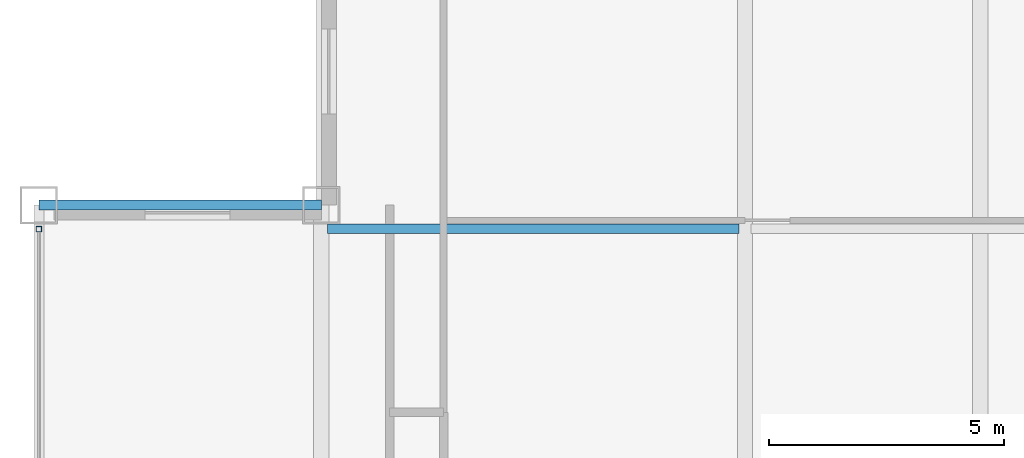
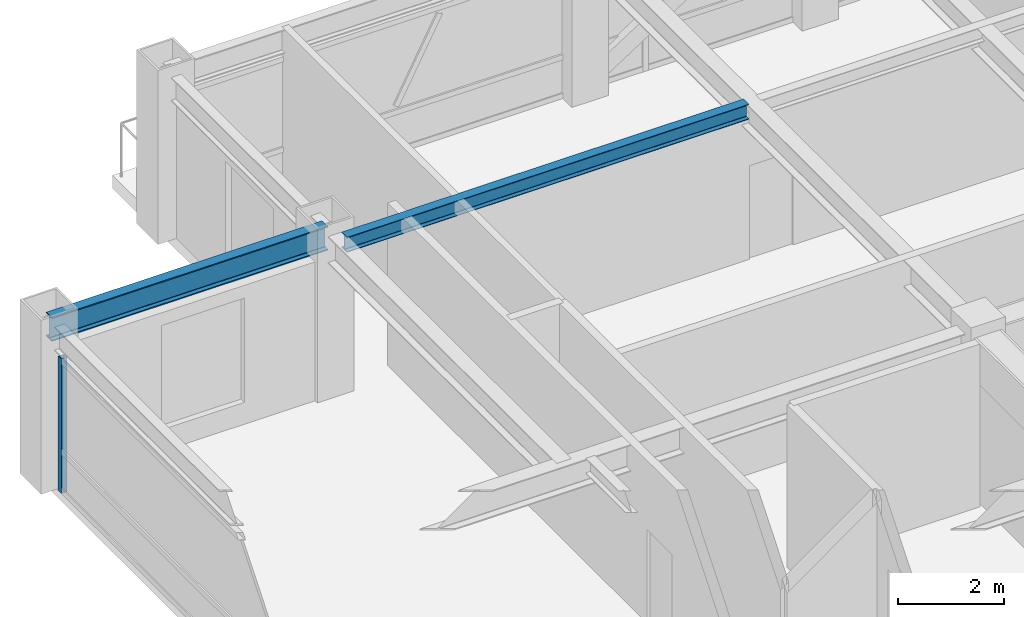
# One storey, part 15 of 30: 2 beams, 1 member, 1 element without a shape of its own.
"""IFC4 building model written with IfcOpenShell, lengths in metres."""

import ifcopenshell
import ifcopenshell.guid

model = None  # the IFC model being written
_history = None  # IfcOwnerHistory: only IFC2X3 demands one
_inside = {}  # id of a spatial element -> (the spatial element, [elements in it])
_under = {}  # id of a project, library or spatial element -> (it, [spatial elements below it])
_declared = {}  # id of a project -> (the project, [libraries it declares])
_typed = {}  # id of a type object -> (the type object, [elements of that type])
_made_of = {}  # id of a material, layer set ... -> (it, [elements and type objects made of it])


def new_model(schema):
    """Start an empty IFC model of exactly this schema.

    Asked for "IFC4X3", IfcOpenShell would pick the latest addendum, in which some entities
    have other attributes; the version numbers below select the first issue.
    IFC2X3 requires an IfcOwnerHistory on every rooted entity: one is made here for all.
    """
    global model, _history
    if schema == "IFC4X3":
        model = ifcopenshell.file(schema_version=(4, 3, 0, 0))
    else:
        model = ifcopenshell.file(schema=schema)
    _inside.clear()
    _under.clear()
    _declared.clear()
    _typed.clear()
    _made_of.clear()
    _history = None
    if model.schema == "IFC2X3":
        org = make("IfcOrganization", Name="unknown")
        user = make(
            "IfcPersonAndOrganization",
            ThePerson=make("IfcPerson", FamilyName="unknown"),
            TheOrganization=org,
        )
        app = make(
            "IfcApplication",
            ApplicationDeveloper=org,
            Version="unknown",
            ApplicationFullName="unknown",
            ApplicationIdentifier="unknown",
        )
        _history = make(
            "IfcOwnerHistory",
            OwningUser=user,
            OwningApplication=app,
            ChangeAction="ADDED",
            CreationDate=0,
        )
    return model


def make(cls, **values):
    """One entity of the class cls with the attributes given. An attribute that is None is left unset."""
    return model.create_entity(
        cls, **{name: value for name, value in values.items() if value is not None}
    )


def rooted(cls, **values):
    """An entity with a GlobalId (a new one), such as an element, a storey or a relation."""
    return make(cls, GlobalId=ifcopenshell.guid.new(), OwnerHistory=_history, **values)


def si_unit(unit_type, name, prefix=None):
    """IfcSIUnit, for example si_unit("LENGTHUNIT", "METRE", prefix="MILLI")."""
    return make("IfcSIUnit", UnitType=unit_type, Prefix=prefix, Name=name)


def assignment(units):
    """IfcUnitAssignment: the units of a project."""
    return None if units is None else make("IfcUnitAssignment", Units=units)


def point(xyz):
    """IfcCartesianPoint."""
    return None if xyz is None else make("IfcCartesianPoint", Coordinates=xyz)


def direction(xyz):
    """IfcDirection."""
    return None if xyz is None else make("IfcDirection", DirectionRatios=xyz)


def frame(location, z_axis=None, x_axis=None):
    """IfcAxis2Placement3D, a coordinate frame: its origin and axes. An axis left out is left unset."""
    return make(
        "IfcAxis2Placement3D",
        Location=point(location),
        Axis=direction(z_axis),
        RefDirection=direction(x_axis),
    )


def frame_2d(location, x_axis=None):
    """IfcAxis2Placement2D, a coordinate frame in the plane: its origin and x axis."""
    return make(
        "IfcAxis2Placement2D", Location=point(location), RefDirection=direction(x_axis)
    )


def origin():
    """The frame at (0, 0, 0) with its axes left unset."""
    return frame((0.0, 0.0, 0.0))


def origin_2d():
    """The frame at (0, 0) in the plane with its x axis left unset."""
    return frame_2d((0.0, 0.0))


def place(relative_to, where):
    """IfcLocalPlacement: puts the frame where relative to a parent placement (None: the world)."""
    return make(
        "IfcLocalPlacement", PlacementRelTo=relative_to, RelativePlacement=where
    )


def context(
    kind, dimensions, precision=None, world=None, true_north=None, identifier=None
):
    """IfcGeometricRepresentationContext, for example the 3D "Model" context."""
    return make(
        "IfcGeometricRepresentationContext",
        ContextIdentifier=identifier,
        ContextType=kind,
        CoordinateSpaceDimension=dimensions,
        Precision=precision,
        WorldCoordinateSystem=world,
        TrueNorth=true_north,
    )


def subcontext(parent, identifier, kind, view, scale=None):
    """IfcGeometricRepresentationSubContext, for example "Body" below "Model"."""
    return make(
        "IfcGeometricRepresentationSubContext",
        ContextIdentifier=identifier,
        ContextType=kind,
        ParentContext=parent,
        TargetScale=scale,
        TargetView=view,
    )


def project(units=None, contexts=None):
    """IfcProject with its units and contexts."""
    return rooted(
        "IfcProject",
        Name="project",
        RepresentationContexts=contexts,
        UnitsInContext=assignment(units),
    )


def spatial(cls, under=None, at=None, **own):
    """A site, building, storey or space (cls), placed at a placement, below another one or the project."""
    s = rooted(cls, ObjectPlacement=at, **own)
    if under is not None:
        _under.setdefault(under.id(), (under, []))[1].append(s)
    return s


def profile(cls, at=None, kind="AREA", **sizes):
    """A parametric profile (cls). Its sizes go by their IFC names, for example OverallWidth=200.0."""
    return make(cls, ProfileType=kind, Position=at, **sizes)


def hollow_rectangle(**sizes):
    """IfcRectangleHollowProfileDef."""
    return profile("IfcRectangleHollowProfileDef", **sizes)


def i_section(**sizes):
    """IfcIShapeProfileDef."""
    return profile("IfcIShapeProfileDef", **sizes)


def extrude(swept, where, along, depth):
    """IfcExtrudedAreaSolid: the profile swept, set in the frame where, extruded along a direction by depth."""
    return make(
        "IfcExtrudedAreaSolid",
        SweptArea=swept,
        Position=where,
        ExtrudedDirection=direction(along),
        Depth=depth,
    )


def shape(context_of_items, identifier, shape_type, items):
    """IfcShapeRepresentation: the items that make up one representation, for example the "Body"."""
    return make(
        "IfcShapeRepresentation",
        ContextOfItems=context_of_items,
        RepresentationIdentifier=identifier,
        RepresentationType=shape_type,
        Items=items,
    )


def source(mapping_origin, context_of_items, identifier, shape_type, items):
    """IfcRepresentationMap: a shape defined once, which mapped items show again and again."""
    return make(
        "IfcRepresentationMap",
        MappingOrigin=mapping_origin,
        MappedRepresentation=shape(context_of_items, identifier, shape_type, items),
    )


def transform(
    local_origin,
    x_axis=None,
    y_axis=None,
    z_axis=None,
    scale=None,
    scale2=None,
    scale3=None,
    uniform=True,
):
    """IfcCartesianTransformationOperator3D, or its non-uniform kind. x_axis, y_axis, z_axis: its Axis1, 2, 3."""
    if uniform:
        return make(
            "IfcCartesianTransformationOperator3D",
            Axis1=direction(x_axis),
            Axis2=direction(y_axis),
            LocalOrigin=point(local_origin),
            Scale=scale,
            Axis3=direction(z_axis),
        )
    return make(
        "IfcCartesianTransformationOperator3DnonUniform",
        Axis1=direction(x_axis),
        Axis2=direction(y_axis),
        LocalOrigin=point(local_origin),
        Scale=scale,
        Axis3=direction(z_axis),
        Scale2=scale2,
        Scale3=scale3,
    )


def mapped(mapping_source, mapping_target):
    """IfcMappedItem: shows the shape of a source again, moved by a transform."""
    return make(
        "IfcMappedItem", MappingSource=mapping_source, MappingTarget=mapping_target
    )


def material(Name=None, Category=None):
    """IfcMaterial."""
    return make("IfcMaterial", Name=Name, Category=Category)


def material_profile(
    of_material, cross_section, Name=None, Category=None, Priority=None
):
    """IfcMaterialProfile: a cross section and its material."""
    return make(
        "IfcMaterialProfile",
        Name=Name,
        Material=of_material,
        Profile=cross_section,
        Priority=Priority,
        Category=Category,
    )


def profile_set(profiles, Name=None, composite=None):
    """IfcMaterialProfileSet."""
    return make(
        "IfcMaterialProfileSet",
        Name=Name,
        MaterialProfiles=profiles,
        CompositeProfile=composite,
    )


def made_of(thing, what):
    """Note that an element or type object is made of a material, layer set ...; save() writes the relation."""
    if what is not None:
        _made_of.setdefault(what.id(), (what, []))[1].append(thing)
    return thing


def type_object(cls, material=None, **own):
    """A type object (cls), such as IfcWallType, which elements share."""
    return made_of(rooted(cls, **own), material)


def element(
    cls,
    number,
    at=None,
    inside=None,
    cuts=None,
    type_object=None,
    material=None,
    context=None,
    identifier="Body",
    shape_type=None,
    held_by="IfcProductDefinitionShape",
    body=None,
    shapes=None,
    **own,
):
    """One element of the class cls, such as IfcWall. Its Tag is "e" and its number.

    at: its placement. inside: the storey or other place that contains it. cuts: it is an
    opening in that element (IfcRelVoidsElement). A single representation is given by context,
    identifier, shape_type and body (its items); several are given by shapes. held_by: the class
    of the entity that holds the representations. save() writes the other relations.
    """
    e = rooted(cls, Tag="e%d" % number, ObjectPlacement=at, **own)
    if body is not None:
        shapes = [shape(context, identifier, shape_type, body)]
    if shapes is not None:
        e.Representation = make(held_by, Representations=shapes)
    if inside is not None:
        _inside.setdefault(inside.id(), (inside, []))[1].append(e)
    if cuts is not None:
        rooted(
            "IfcRelVoidsElement", RelatingBuildingElement=cuts, RelatedOpeningElement=e
        )
    if type_object is not None:
        _typed.setdefault(type_object.id(), (type_object, []))[1].append(e)
    return made_of(e, material)


def aggregate(whole, parts):
    """IfcRelAggregates: a whole, such as a stair, and the parts it consists of."""
    return rooted("IfcRelAggregates", RelatingObject=whole, RelatedObjects=parts)


def save(model, path):
    """Write the relations noted so far, then the file.

    IfcRelAggregates (storeys below a building ...), IfcRelContainedInSpatialStructure (elements
    in a storey), IfcRelDefinesByType, IfcRelAssociatesMaterial and IfcRelDeclares: one each for
    every whole, place, type object, material and project.
    """
    for whole, parts in _under.values():
        aggregate(whole, parts)
    for where, things in _inside.values():
        rooted(
            "IfcRelContainedInSpatialStructure",
            RelatedElements=things,
            RelatingStructure=where,
        )
    for kind, things in _typed.values():
        rooted("IfcRelDefinesByType", RelatedObjects=things, RelatingType=kind)
    for what, things in _made_of.values():
        rooted("IfcRelAssociatesMaterial", RelatedObjects=things, RelatingMaterial=what)
    for by, libraries in _declared.values():
        rooted("IfcRelDeclares", RelatingContext=by, RelatedDefinitions=libraries)
    model.write(path)


model = new_model("IFC4")

# Units and contexts
model_context = context("Model", 3, precision=1e-05, world=origin(), true_north=direction((0.0, 1.0)))
body_context = subcontext(model_context, "Body", "Model", "MODEL_VIEW")
ifc_project = project(units=[si_unit("LENGTHUNIT", "METRE"), si_unit("AREAUNIT", "SQUARE_METRE"), si_unit("VOLUMEUNIT", "CUBIC_METRE"), si_unit("PLANEANGLEUNIT", "RADIAN"), si_unit("MASSUNIT", "GRAM", prefix="KILO")], contexts=[model_context])

# Site, building, storey
site_placement = place(None, origin())
site = spatial("IfcSite", under=ifc_project, at=site_placement, CompositionType="ELEMENT")
building_placement = place(site_placement, origin())
building = spatial("IfcBuilding", under=site, at=building_placement, Name="Khorayat Bourse Tower", CompositionType="ELEMENT")
storey_placement = place(building_placement, frame((0.0, 0.0, 326.300048828125)))
storey = spatial("IfcBuildingStorey", under=building, at=storey_placement, Name="L77", CompositionType="ELEMENT", Elevation=326.300048828125)

# Beams
ifc_material_1 = material(Name="Steel ASTM A992 Grade 50", Category="steel")
ifc_material_profile_1 = material_profile(ifc_material_1, i_section(OverallWidth=0.214111328125, OverallDepth=0.549072265625, WebThickness=0.0146484375, FlangeThickness=0.023681640625, FilletRadius=0.013916015625, at=origin_2d()), Name="W530X138")
ifc_profile_set_1 = profile_set([ifc_material_profile_1], Name="Steel ASTM A992 Grade 50")
beam_type_1 = type_object("IfcBeamType", Name="BM-SPAN-530", PredefinedType="SPANDREL", material=ifc_profile_set_1)
shared_shape_1 = source(origin(), body_context, "Body", "SweptSolid", [
    extrude(i_section(OverallWidth=0.214111328125, OverallDepth=0.549072265625, WebThickness=0.0146484375, FlangeThickness=0.023681640625, FilletRadius=0.013916015625, at=origin_2d()), origin(), (0.0, 0.0, 1.0), 6.0),
])
beam_1_placement = place(storey_placement, frame((-26.0, 20.0, 3.46533203125), z_axis=(1.0, 0.0, 0.0), x_axis=(0.0, 1.0, 0.0)))
element("IfcBeam", 1, at=beam_1_placement, inside=storey, type_object=beam_type_1, Name="L77 BM-SPAN-530 BM-L77-SPN-047", PredefinedType="SPANDREL", context=body_context, shape_type="MappedRepresentation", body=[
    mapped(shared_shape_1, transform((0.0, 0.0, 0.0), scale=1.0)),
])
ifc_material_profile_2 = material_profile(ifc_material_1, i_section(OverallWidth=0.202880859375, OverallDepth=0.346923828125, WebThickness=0.0078125, FlangeThickness=0.013427734375, FilletRadius=0.010009765625, at=origin_2d()), Name="W360X64")
ifc_profile_set_2 = profile_set([ifc_material_profile_2], Name="Steel ASTM A992 Grade 50")
beam_type_2 = type_object("IfcBeamType", Name="BM-JOIST-360", PredefinedType="JOIST", material=ifc_profile_set_2)
shared_shape_2 = source(origin(), body_context, "Body", "SweptSolid", [
    extrude(i_section(OverallWidth=0.202880859375, OverallDepth=0.346923828125, WebThickness=0.0078125, FlangeThickness=0.013427734375, FilletRadius=0.010009765625, at=origin_2d()), origin(), (0.0, 0.0, 1.0), 8.740234375),
])
beam_2_placement = place(storey_placement, frame((-19.8701171875, 19.5, 3.56640625), z_axis=(1.0, 0.0, 0.0), x_axis=(0.0, 1.0, 0.0)))
element("IfcBeam", 2, at=beam_2_placement, inside=storey, type_object=beam_type_2, Name="L77 BM-JOIST-360 BM-L77-JSTX-083", PredefinedType="JOIST", context=body_context, shape_type="MappedRepresentation", body=[
    mapped(shared_shape_2, transform((0.0, 0.0, 0.0), scale=1.0)),
])

# Curtain wall, member
ifc_material_2 = material(Name="Aluminium EN AW-6063 T6", Category="aluminium")
curtain_wall_type = type_object("IfcCurtainWallType", Name="CW-SYS-04", PredefinedType="NOTDEFINED", material=ifc_material_2)
curtain_wall_placement = place(storey_placement, origin())
curtain_wall = element("IfcCurtainWall", 3, at=curtain_wall_placement, inside=storey, type_object=curtain_wall_type, Name="L77 Curtain Wall CW-L77-W1", PredefinedType="NOTDEFINED")
ifc_material_profile_3 = material_profile(ifc_material_2, hollow_rectangle(XDim=0.1201171875, YDim=0.1201171875, WallThickness=0.0048828125, at=origin_2d()), Name="ALU 120x120x5")
ifc_profile_set_3 = profile_set([ifc_material_profile_3], Name="Aluminium EN AW-6063 T6")
member_type = type_object("IfcMemberType", Name="CWM-VERT-120", PredefinedType="MULLION", material=ifc_profile_set_3)
shared_shape_3 = source(origin(), body_context, "Body", "SweptSolid", [
    extrude(hollow_rectangle(XDim=0.1201171875, YDim=0.1201171875, WallThickness=0.0048828125, at=origin_2d()), origin(), (0.0, 0.0, 1.0), 3.08984375),
])
member_placement = place(storey_placement, frame((-26.0, 19.489990234375, 0.0), z_axis=(0.0, 0.0, 1.0), x_axis=(-1.0, 0.0, 0.0)))
member = element("IfcMember", 4, at=member_placement, type_object=member_type, Name="CW-L77-W1 Vertical Mullion 3", PredefinedType="MULLION", context=body_context, shape_type="MappedRepresentation", body=[
    mapped(shared_shape_3, transform((0.0, 0.0, 0.0), scale=1.0)),
])
aggregate(curtain_wall, [member])

save(model, "model.ifc")
